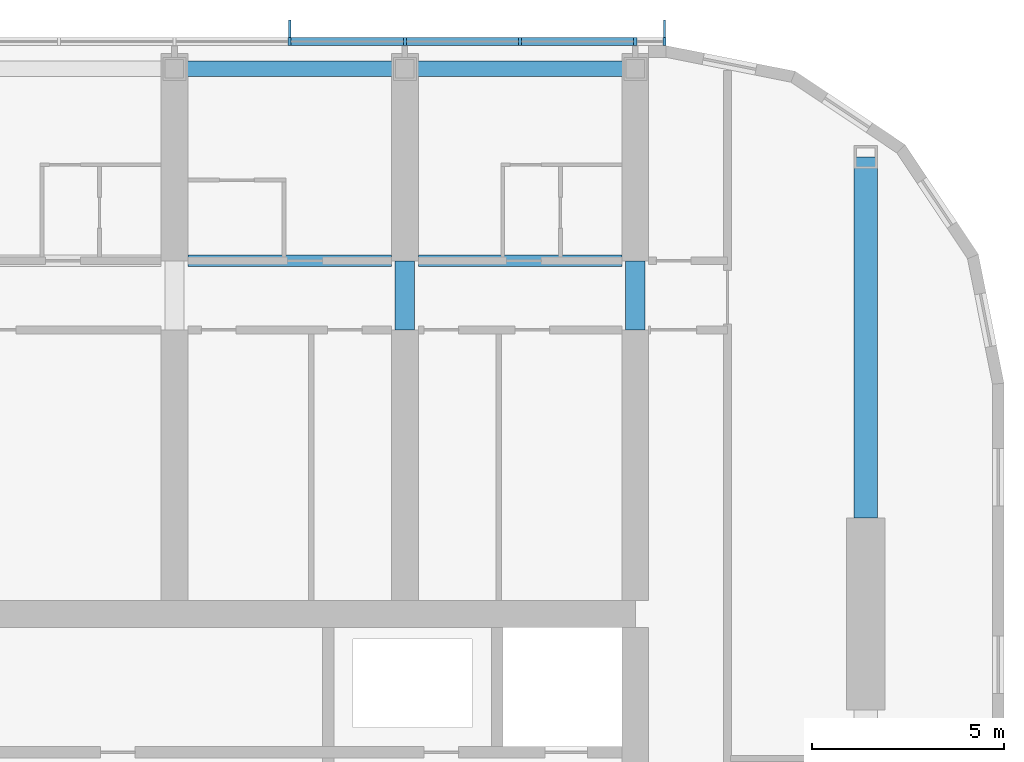
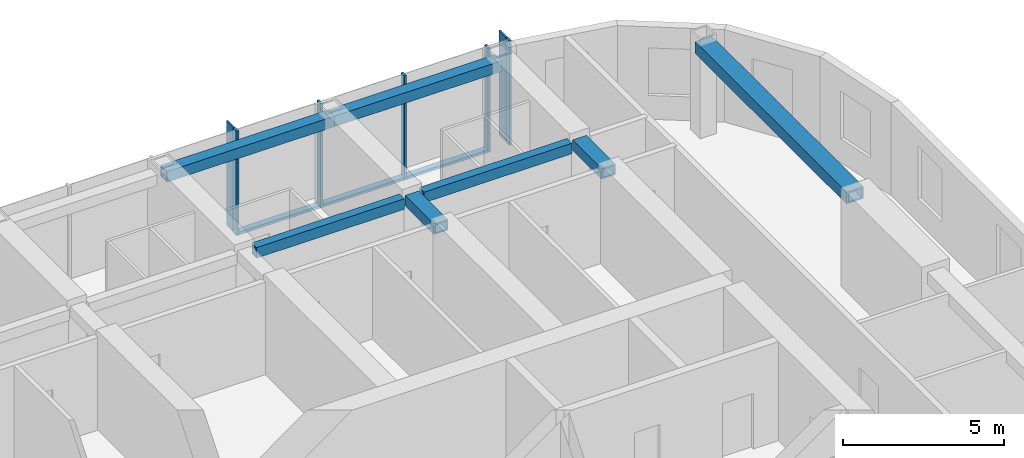
# One storey, part 7 of 26: 10 members, 7 beams, 1 element without a shape of its own.
"""IFC4 building model written with IfcOpenShell, lengths in metres."""

from ifc_helpers import new_model, si_unit, direction, frame, origin, origin_2d, place, context, subcontext, project, spatial, rectangle, hollow_rectangle, extrude, material, material_profile, profile_set, type_object, element, aggregate, save


model = new_model("IFC4")

# Units and contexts
model_context = context("Model", 3, precision=1e-05, world=origin(), true_north=direction((0.0, 1.0)))
body_context = subcontext(model_context, "Body", "Model", "MODEL_VIEW")
ifc_project = project(units=[si_unit("LENGTHUNIT", "METRE"), si_unit("AREAUNIT", "SQUARE_METRE"), si_unit("VOLUMEUNIT", "CUBIC_METRE"), si_unit("PLANEANGLEUNIT", "RADIAN"), si_unit("MASSUNIT", "GRAM", prefix="KILO")], contexts=[model_context])

# Site, building, storey
site_placement = place(None, origin())
site = spatial("IfcSite", under=ifc_project, at=site_placement, CompositionType="ELEMENT")
building_placement = place(site_placement, origin())
building = spatial("IfcBuilding", under=site, at=building_placement, Name="Orbita Commons", CompositionType="ELEMENT")
storey_placement = place(building_placement, frame((0.0, 0.0, 231.550048828125)))
storey = spatial("IfcBuildingStorey", under=building, at=storey_placement, Name="L57", CompositionType="ELEMENT", Elevation=231.550048828125)

# Curtain wall, members
ifc_material_1 = material(Name="Anodised aluminium frame, pale silver", Category="aluminium")
curtain_wall_type = type_object("IfcCurtainWallType", Name="Unitised curtain wall CW-U, full-height vision", PredefinedType="NOTDEFINED", material=ifc_material_1)
curtain_wall_placement = place(storey_placement, origin())
curtain_wall = element("IfcCurtainWall", 1, at=curtain_wall_placement, inside=storey, type_object=curtain_wall_type, Name="Curtain wall north L57", PredefinedType="NOTDEFINED")
ifc_material_2 = material(Name="Anodised aluminium, pale silver", Category="aluminium")
ifc_material_profile_1 = material_profile(ifc_material_2, rectangle(XDim=0.080078125, YDim=0.219970703125, at=origin_2d()), Name="AL 80x220")
ifc_profile_set_1 = profile_set([ifc_material_profile_1], Name="Anodised aluminium, pale silver")
member_type_1 = type_object("IfcMemberType", Name="Curtain wall mullion 80x220", PredefinedType="MULLION", material=ifc_profile_set_1)
member_1_placement = place(storey_placement, frame((66.760009765625, 53.110107421875, -0.449951171875), z_axis=(0.0, 0.0, 1.0), x_axis=(-1.0, 0.0, 0.0)))
member_1 = element("IfcMember", 2, at=member_1_placement, type_object=member_type_1, Name="Mullion 1 CW-L57-N", PredefinedType="MULLION", context=body_context, shape_type="SweptSolid", body=[
    extrude(rectangle(XDim=0.080078125, YDim=0.219970703125, at=origin_2d()), origin(), (0.0, 0.0, 1.0), 3.949951171875),
])
member_2_placement = place(storey_placement, frame((66.0, 53.110107421875, -0.449951171875), z_axis=(0.0, 0.0, 1.0), x_axis=(-1.0, 0.0, 0.0)))
member_2 = element("IfcMember", 3, at=member_2_placement, type_object=member_type_1, Name="Mullion 2 CW-L57-N", PredefinedType="MULLION", context=body_context, shape_type="SweptSolid", body=[
    extrude(rectangle(XDim=0.080078125, YDim=0.219970703125, at=origin_2d()), origin(), (0.0, 0.0, 1.0), 3.949951171875),
])
member_3_placement = place(storey_placement, frame((63.0, 53.110107421875, -0.449951171875), z_axis=(0.0, 0.0, 1.0), x_axis=(-1.0, 0.0, 0.0)))
member_3 = element("IfcMember", 4, at=member_3_placement, type_object=member_type_1, Name="Mullion 3 CW-L57-N", PredefinedType="MULLION", context=body_context, shape_type="SweptSolid", body=[
    extrude(rectangle(XDim=0.080078125, YDim=0.219970703125, at=origin_2d()), origin(), (0.0, 0.0, 1.0), 3.949951171875),
])
member_4_placement = place(storey_placement, frame((60.0, 53.110107421875, -0.449951171875), z_axis=(0.0, 0.0, 1.0), x_axis=(-1.0, 0.0, 0.0)))
member_4 = element("IfcMember", 5, at=member_4_placement, type_object=member_type_1, Name="Mullion 4 CW-L57-N", PredefinedType="MULLION", context=body_context, shape_type="SweptSolid", body=[
    extrude(rectangle(XDim=0.080078125, YDim=0.219970703125, at=origin_2d()), origin(), (0.0, 0.0, 1.0), 3.949951171875),
])
member_5_placement = place(storey_placement, frame((57.0, 53.110107421875, -0.449951171875), z_axis=(0.0, 0.0, 1.0), x_axis=(-1.0, 0.0, 0.0)))
member_5 = element("IfcMember", 6, at=member_5_placement, type_object=member_type_1, Name="Mullion 5 CW-L57-N", PredefinedType="MULLION", context=body_context, shape_type="SweptSolid", body=[
    extrude(rectangle(XDim=0.080078125, YDim=0.219970703125, at=origin_2d()), origin(), (0.0, 0.0, 1.0), 3.949951171875),
])
ifc_material_3 = material(Name="Anodised aluminium, pale silver", Category="aluminium")
ifc_material_profile_2 = material_profile(ifc_material_3, rectangle(XDim=0.219970703125, YDim=0.10009765625, at=origin_2d()), Name="AL 220x100")
ifc_profile_set_2 = profile_set([ifc_material_profile_2], Name="Anodised aluminium, pale silver")
member_type_2 = type_object("IfcMemberType", Name="Curtain wall stack transom 220x100", PredefinedType="USERDEFINED", material=ifc_profile_set_2)
member_6_placement = place(storey_placement, frame((65.9599609375, 53.110107421875, -0.400146484375), z_axis=(-1.0, 0.0, 0.0), x_axis=(0.0, -1.0, 0.0)))
member_6 = element("IfcMember", 7, at=member_6_placement, type_object=member_type_2, Name="Transom 2.1 CW-L57-N", ObjectType="TRANSOM", PredefinedType="USERDEFINED", context=body_context, shape_type="SweptSolid", body=[
    extrude(rectangle(XDim=0.219970703125, YDim=0.10009765625, at=origin_2d()), origin(), (0.0, 0.0, 1.0), 2.919921875),
])
member_7_placement = place(storey_placement, frame((62.9599609375, 53.110107421875, -0.400146484375), z_axis=(-1.0, 0.0, 0.0), x_axis=(0.0, -1.0, 0.0)))
member_7 = element("IfcMember", 8, at=member_7_placement, type_object=member_type_2, Name="Transom 3.1 CW-L57-N", ObjectType="TRANSOM", PredefinedType="USERDEFINED", context=body_context, shape_type="SweptSolid", body=[
    extrude(rectangle(XDim=0.219970703125, YDim=0.10009765625, at=origin_2d()), origin(), (0.0, 0.0, 1.0), 2.919921875),
])
member_8_placement = place(storey_placement, frame((59.9599609375, 53.110107421875, -0.400146484375), z_axis=(-1.0, 0.0, 0.0), x_axis=(0.0, -1.0, 0.0)))
member_8 = element("IfcMember", 9, at=member_8_placement, type_object=member_type_2, Name="Transom 4.1 CW-L57-N", ObjectType="TRANSOM", PredefinedType="USERDEFINED", context=body_context, shape_type="SweptSolid", body=[
    extrude(rectangle(XDim=0.219970703125, YDim=0.10009765625, at=origin_2d()), origin(), (0.0, 0.0, 1.0), 2.919921875),
])

# Beams
ifc_material_4 = material(Name="Steel ASTM A572 Gr 50 welded plate", Category="steel")
ifc_material_profile_3 = material_profile(ifc_material_4, hollow_rectangle(XDim=0.300048828125, YDim=0.39990234375, WallThickness=0.0400390625, at=origin_2d()), Name="BOX 400x300x40")
ifc_profile_set_3 = profile_set([ifc_material_profile_3], Name="Steel ASTM A572 Gr 50 welded plate")
beam_type_1 = type_object("IfcBeamType", Name="Steel corridor link BOX 400x300x40", PredefinedType="BEAM", material=ifc_profile_set_3)
for number, where, z_axis, x_axis, name in (
    (10, (54.35009765625, 47.39990234375, 3.300048828125), (1.0, 0.0, 0.0), (0.0, 1.0, 0.0), "Corridor beam NB 10-11 L57"),
    (11, (60.35009765625, 47.39990234375, 3.300048828125), (1.0, 0.0, 0.0), (0.0, 1.0, 0.0), "Corridor beam NB 11-12 L57"),
):
    element("IfcBeam", number, at=place(storey_placement, frame(where, z_axis=z_axis, x_axis=x_axis)), inside=storey, type_object=beam_type_1, Name=name, PredefinedType="BEAM", context=body_context, shape_type="SweptSolid", body=[
        extrude(hollow_rectangle(XDim=0.300048828125, YDim=0.39990234375, WallThickness=0.0400390625, at=origin_2d()), origin(), (0.0, 0.0, 1.0), 5.2998046875),
    ])
ifc_material_5 = material(Name="Steel ASTM A572 Gr 50 welded plate", Category="steel")
ifc_material_profile_4 = material_profile(ifc_material_5, hollow_rectangle(XDim=0.5, YDim=0.39990234375, WallThickness=0.050048828125, at=origin_2d()), Name="BOX 400x500x50")
ifc_profile_set_4 = profile_set([ifc_material_profile_4], Name="Steel ASTM A572 Gr 50 welded plate")
beam_type_2 = type_object("IfcBeamType", Name="Steel coupling link BOX 400x500x50", PredefinedType="LINTEL", material=ifc_profile_set_4)
for number, where, z_axis, x_axis, name in (
    (12, (60.0, 45.60009765625, 3.300048828125), (0.0, 1.0, 0.0), (-1.0, 0.0, 0.0), "Coupling beam 11 north L57"),
    (13, (66.0, 45.60009765625, 3.300048828125), (0.0, 1.0, 0.0), (-1.0, 0.0, 0.0), "Coupling beam 12 north L57"),
):
    element("IfcBeam", number, at=place(storey_placement, frame(where, z_axis=z_axis, x_axis=x_axis)), inside=storey, type_object=beam_type_2, Name=name, PredefinedType="LINTEL", context=body_context, shape_type="SweptSolid", body=[
        extrude(hollow_rectangle(XDim=0.5, YDim=0.39990234375, WallThickness=0.050048828125, at=origin_2d()), origin(), (0.0, 0.0, 1.0), 1.7998046875),
    ])
ifc_material_6 = material(Name="Steel ASTM A572 Gr 50 welded plate", Category="steel")
ifc_material_profile_5 = material_profile(ifc_material_6, hollow_rectangle(XDim=0.60009765625, YDim=0.449951171875, WallThickness=0.06005859375, at=origin_2d()), Name="BOX 450x600x60")
ifc_profile_set_5 = profile_set([ifc_material_profile_5], Name="Steel ASTM A572 Gr 50 welded plate")
beam_type_3 = type_object("IfcBeamType", Name="Steel end frame link BOX 450x600x60", PredefinedType="BEAM", material=ifc_profile_set_5)
beam_placement = place(storey_placement, frame((72.0, 40.699951171875, 3.27490234375), z_axis=(0.0, 1.0, 0.0), x_axis=(-1.0, 0.0, 0.0)))
element("IfcBeam", 14, at=beam_placement, inside=storey, type_object=beam_type_3, Name="End frame beam 13 D-E L57", PredefinedType="BEAM", context=body_context, shape_type="SweptSolid", body=[
    extrude(hollow_rectangle(XDim=0.60009765625, YDim=0.449951171875, WallThickness=0.06005859375, at=origin_2d()), origin(), (0.0, 0.0, 1.0), 9.400146484375),
])
ifc_material_7 = material(Name="Steel ASTM A572 Gr 50 welded plate", Category="steel")
ifc_material_profile_6 = material_profile(ifc_material_7, hollow_rectangle(XDim=0.39990234375, YDim=0.39990234375, WallThickness=0.0400390625, at=origin_2d()), Name="BOX 400x400x40")
ifc_profile_set_6 = profile_set([ifc_material_profile_6], Name="Steel ASTM A572 Gr 50 welded plate")
beam_type_4 = type_object("IfcBeamType", Name="Steel spandrel BOX 400x400x40", PredefinedType="SPANDREL", material=ifc_profile_set_6)
for number, where, z_axis, x_axis, name in (
    (15, (54.0, 52.39990234375, 3.300048828125), (1.0, 0.0, 0.0), (0.0, 1.0, 0.0), "Spandrel beam E 10-11 L57"),
    (16, (60.0, 52.39990234375, 3.300048828125), (1.0, 0.0, 0.0), (0.0, 1.0, 0.0), "Spandrel beam E 11-12 L57"),
):
    element("IfcBeam", number, at=place(storey_placement, frame(where, z_axis=z_axis, x_axis=x_axis)), inside=storey, type_object=beam_type_4, Name=name, PredefinedType="SPANDREL", context=body_context, shape_type="SweptSolid", body=[
        extrude(hollow_rectangle(XDim=0.39990234375, YDim=0.39990234375, WallThickness=0.0400390625, at=origin_2d()), origin(), (0.0, 0.0, 1.0), 6.0),
    ])

# Member
ifc_material_8 = material(Name="Anodised aluminium, pale silver", Category="aluminium")
ifc_material_profile_7 = material_profile(ifc_material_8, rectangle(XDim=0.06005859375, YDim=0.449951171875, at=origin_2d()), Name="FIN 60x450")
ifc_profile_set_7 = profile_set([ifc_material_profile_7], Name="Anodised aluminium, pale silver")
member_type_3 = type_object("IfcMemberType", Name="Vertical fin 60x450 pale aluminium", PredefinedType="USERDEFINED", material=ifc_profile_set_7)
member_9_placement = place(storey_placement, frame((66.760009765625, 53.445068359375, -0.449951171875), z_axis=(0.0, 0.0, 1.0), x_axis=(-1.0, 0.0, 0.0)))
member_9 = element("IfcMember", 17, at=member_9_placement, type_object=member_type_3, Name="Fin 1 CW-L57-N", ObjectType="FIN", PredefinedType="USERDEFINED", context=body_context, shape_type="SweptSolid", body=[
    extrude(rectangle(XDim=0.06005859375, YDim=0.449951171875, at=origin_2d()), origin(), (0.0, 0.0, 1.0), 3.949951171875),
])

member_10_placement = place(storey_placement, frame((57.0, 53.445068359375, -0.449951171875), z_axis=(0.0, 0.0, 1.0), x_axis=(-1.0, 0.0, 0.0)))
member_10 = element("IfcMember", 18, at=member_10_placement, type_object=member_type_3, Name="Fin 5 CW-L57-N", ObjectType="FIN", PredefinedType="USERDEFINED", context=body_context, shape_type="SweptSolid", body=[
    extrude(rectangle(XDim=0.06005859375, YDim=0.449951171875, at=origin_2d()), origin(), (0.0, 0.0, 1.0), 3.949951171875),
])

aggregate(curtain_wall, [member_1, member_9, member_2, member_3, member_4, member_5, member_10, member_6, member_7, member_8])

save(model, "model.ifc")
